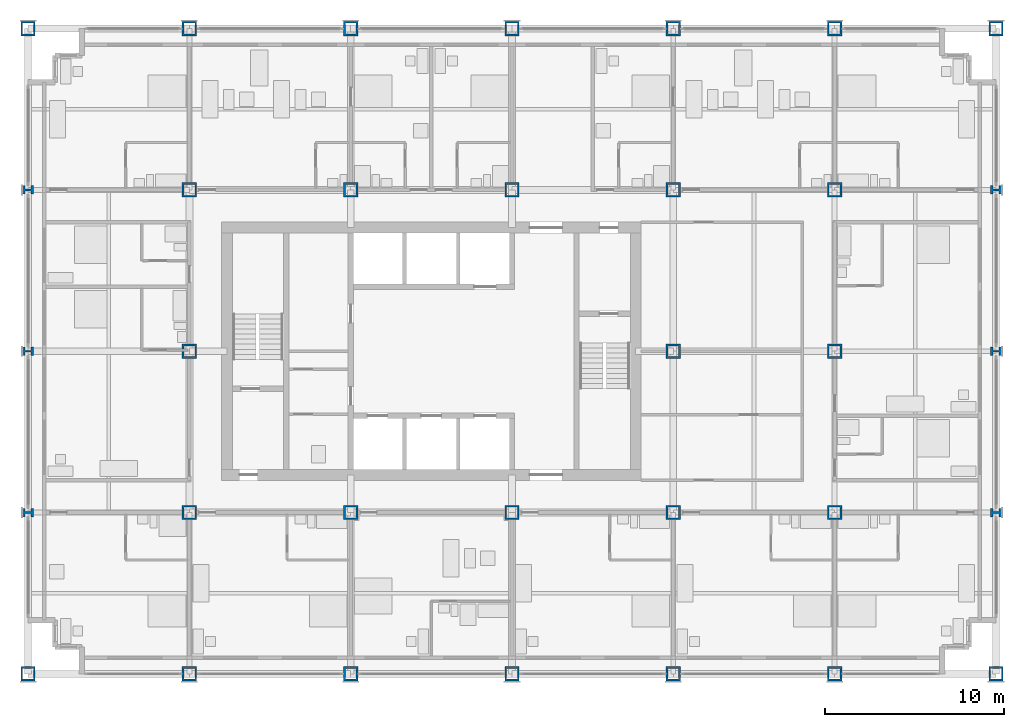
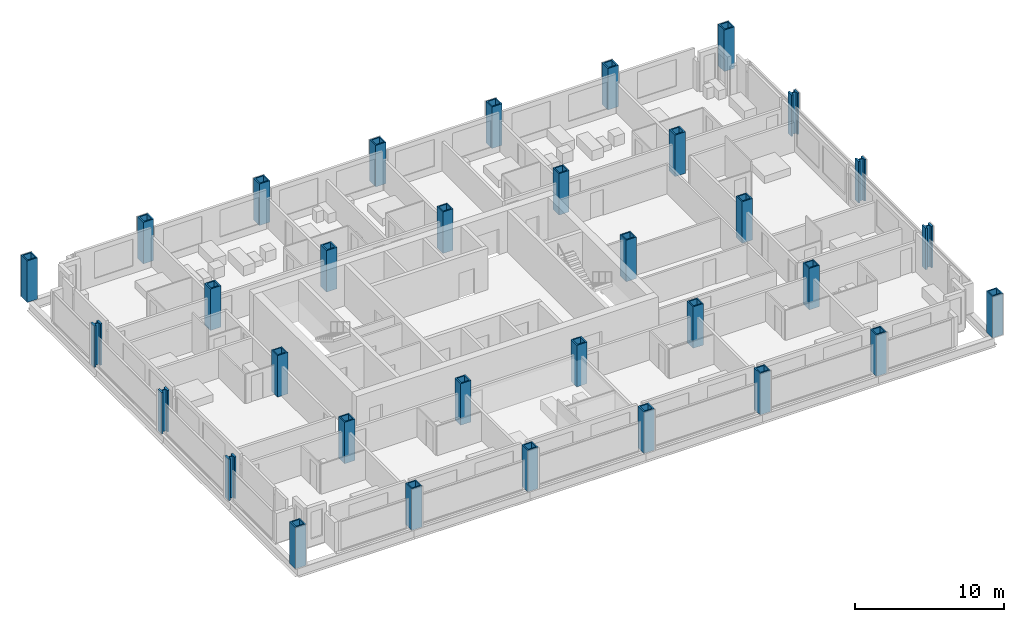
# One storey, part 1 of 18: 33 columns.
"""IFC4 building model written with IfcOpenShell, lengths in metres."""

from ifc_helpers import new_model, si_unit, direction, frame, origin, origin_2d, place, context, subcontext, project, spatial, hollow_rectangle, i_section, extrude, material, material_profile, profile_set, type_object, element, save


model = new_model("IFC4")

# Units and contexts
model_context = context("Model", 3, precision=1e-05, world=origin(), true_north=direction((0.0, 1.0)))
body_context = subcontext(model_context, "Body", "Model", "MODEL_VIEW")
ifc_project = project(units=[si_unit("LENGTHUNIT", "METRE"), si_unit("AREAUNIT", "SQUARE_METRE"), si_unit("VOLUMEUNIT", "CUBIC_METRE"), si_unit("PLANEANGLEUNIT", "RADIAN"), si_unit("MASSUNIT", "GRAM", prefix="KILO")], contexts=[model_context])

# Site, building, storey
site_placement = place(None, origin())
site = spatial("IfcSite", under=ifc_project, at=site_placement, CompositionType="ELEMENT")
building_placement = place(site_placement, origin())
building = spatial("IfcBuilding", under=site, at=building_placement, Name="Loomwork Tower", CompositionType="ELEMENT")
storey_placement = place(building_placement, frame((0.0, 0.0, 41.60009765625)))
storey = spatial("IfcBuildingStorey", under=building, at=storey_placement, Name="L09", CompositionType="ELEMENT", Elevation=41.60009765625)

# Columns
ifc_material_1 = material(Name="Steel ASTM A572 Grade 50 plate", Category="steel")
ifc_material_profile_1 = material_profile(ifc_material_1, hollow_rectangle(XDim=0.800048828125, YDim=0.800048828125, WallThickness=0.10009765625, at=origin_2d()), Name="BOX800x100")
ifc_profile_set_1 = profile_set([ifc_material_profile_1], Name="Steel ASTM A572 Grade 50 plate")
column_type_1 = type_object("IfcColumnType", Name="EXOSKELETON PIER BOX800x100", PredefinedType="COLUMN", material=ifc_profile_set_1)
for number, where, z_axis, x_axis, name in (
    (1, (0.0, 0.0, 0.0), (0.0, 0.0, 1.0), (1.0, 0.0, 0.0), "Exoskeleton Pier D/2 L09"),
    (2, (0.0, 36.0, 0.0), (0.0, 0.0, 1.0), (1.0, 0.0, 0.0), "Exoskeleton Pier H/2 L09"),
    (3, (9.0, 0.0, 0.0), (0.0, 0.0, 1.0), (1.0, 0.0, 0.0), "Exoskeleton Pier D/3 L09"),
    (4, (9.0, 36.0, 0.0), (0.0, 0.0, 1.0), (1.0, 0.0, 0.0), "Exoskeleton Pier H/3 L09"),
    (5, (18.0, 0.0, 0.0), (0.0, 0.0, 1.0), (1.0, 0.0, 0.0), "Exoskeleton Pier D/4 L09"),
    (6, (18.0, 36.0, 0.0), (0.0, 0.0, 1.0), (1.0, 0.0, 0.0), "Exoskeleton Pier H/4 L09"),
    (7, (27.0, 0.0, 0.0), (0.0, 0.0, 1.0), (1.0, 0.0, 0.0), "Exoskeleton Pier D/5 L09"),
    (8, (27.0, 36.0, 0.0), (0.0, 0.0, 1.0), (1.0, 0.0, 0.0), "Exoskeleton Pier H/5 L09"),
    (9, (36.0, 0.0, 0.0), (0.0, 0.0, 1.0), (1.0, 0.0, 0.0), "Exoskeleton Pier D/6 L09"),
    (10, (36.0, 36.0, 0.0), (0.0, 0.0, 1.0), (1.0, 0.0, 0.0), "Exoskeleton Pier H/6 L09"),
    (11, (45.0, 0.0, 0.0), (0.0, 0.0, 1.0), (1.0, 0.0, 0.0), "Exoskeleton Pier D/7 L09"),
    (12, (45.0, 36.0, 0.0), (0.0, 0.0, 1.0), (1.0, 0.0, 0.0), "Exoskeleton Pier H/7 L09"),
    (13, (54.0, 0.0, 0.0), (0.0, 0.0, 1.0), (1.0, 0.0, 0.0), "Exoskeleton Pier D/8 L09"),
    (14, (54.0, 36.0, 0.0), (0.0, 0.0, 1.0), (1.0, 0.0, 0.0), "Exoskeleton Pier H/8 L09"),
):
    element("IfcColumn", number, at=place(storey_placement, frame(where, z_axis=z_axis, x_axis=x_axis)), inside=storey, type_object=column_type_1, Name=name, PredefinedType="COLUMN", context=body_context, shape_type="SweptSolid", body=[
        extrude(hollow_rectangle(XDim=0.800048828125, YDim=0.800048828125, WallThickness=0.10009765625, at=origin_2d()), origin(), (0.0, 0.0, 1.0), 3.39990234375),
    ])
ifc_material_2 = material(Name="Steel ASTM A992", Category="steel")
ifc_material_profile_2 = material_profile(ifc_material_2, i_section(OverallWidth=0.4775390625, OverallDepth=0.599365234375, WebThickness=0.10009765625, FlangeThickness=0.139892578125, at=origin_2d()), Name="W14x873")
ifc_profile_set_2 = profile_set([ifc_material_profile_2], Name="Steel ASTM A992")
column_type_2 = type_object("IfcColumnType", Name="EXOSKELETON PIER W14x873", PredefinedType="COLUMN", material=ifc_profile_set_2)
for number, where, z_axis, x_axis, name in (
    (15, (0.0, 9.0, 0.0), (0.0, 0.0, 1.0), (0.0, 1.0, 0.0), "Exoskeleton Pier E/2 L09"),
    (16, (0.0, 18.0, 0.0), (0.0, 0.0, 1.0), (0.0, 1.0, 0.0), "Exoskeleton Pier F/2 L09"),
    (17, (0.0, 27.0, 0.0), (0.0, 0.0, 1.0), (0.0, 1.0, 0.0), "Exoskeleton Pier G/2 L09"),
    (18, (54.0, 9.0, 0.0), (0.0, 0.0, 1.0), (0.0, 1.0, 0.0), "Exoskeleton Pier E/8 L09"),
    (19, (54.0, 18.0, 0.0), (0.0, 0.0, 1.0), (0.0, 1.0, 0.0), "Exoskeleton Pier F/8 L09"),
    (20, (54.0, 27.0, 0.0), (0.0, 0.0, 1.0), (0.0, 1.0, 0.0), "Exoskeleton Pier G/8 L09"),
):
    element("IfcColumn", number, at=place(storey_placement, frame(where, z_axis=z_axis, x_axis=x_axis)), inside=storey, type_object=column_type_2, Name=name, PredefinedType="COLUMN", context=body_context, shape_type="SweptSolid", body=[
        extrude(i_section(OverallWidth=0.4775390625, OverallDepth=0.599365234375, WebThickness=0.10009765625, FlangeThickness=0.139892578125, at=origin_2d()), origin(), (0.0, 0.0, 1.0), 3.39990234375),
    ])
ifc_material_3 = material(Name="Steel ASTM A572 Grade 50 plate", Category="steel")
ifc_material_profile_3 = material_profile(ifc_material_3, hollow_rectangle(XDim=0.800048828125, YDim=0.800048828125, WallThickness=0.10009765625, at=origin_2d()), Name="BOX800x100")
ifc_profile_set_3 = profile_set([ifc_material_profile_3], Name="Steel ASTM A572 Grade 50 plate")
column_type_3 = type_object("IfcColumnType", Name="TOWER COLUMN BOX800x100", PredefinedType="COLUMN", material=ifc_profile_set_3)
for number, where, z_axis, x_axis, name in (
    (21, (9.0, 9.0, 0.0), (0.0, 0.0, 1.0), (1.0, 0.0, 0.0), "Tower Column E/3 L09"),
    (22, (9.0, 18.0, 0.0), (0.0, 0.0, 1.0), (1.0, 0.0, 0.0), "Tower Column F/3 L09"),
    (23, (9.0, 27.0, 0.0), (0.0, 0.0, 1.0), (1.0, 0.0, 0.0), "Tower Column G/3 L09"),
    (24, (18.0, 9.0, 0.0), (0.0, 0.0, 1.0), (1.0, 0.0, 0.0), "Tower Column E/4 L09"),
    (25, (18.0, 27.0, 0.0), (0.0, 0.0, 1.0), (1.0, 0.0, 0.0), "Tower Column G/4 L09"),
    (26, (27.0, 9.0, 0.0), (0.0, 0.0, 1.0), (1.0, 0.0, 0.0), "Tower Column E/5 L09"),
    (27, (27.0, 27.0, 0.0), (0.0, 0.0, 1.0), (1.0, 0.0, 0.0), "Tower Column G/5 L09"),
    (28, (36.0, 9.0, 0.0), (0.0, 0.0, 1.0), (0.0, 1.0, 0.0), "Tower Column E/6 L09"),
    (29, (36.0, 18.0, 0.0), (0.0, 0.0, 1.0), (0.0, 1.0, 0.0), "Tower Column F/6 L09"),
    (30, (36.0, 27.0, 0.0), (0.0, 0.0, 1.0), (1.0, 0.0, 0.0), "Tower Column G/6 L09"),
    (31, (45.0, 9.0, 0.0), (0.0, 0.0, 1.0), (0.0, 1.0, 0.0), "Tower Column E/7 L09"),
    (32, (45.0, 18.0, 0.0), (0.0, 0.0, 1.0), (0.0, 1.0, 0.0), "Tower Column F/7 L09"),
    (33, (45.0, 27.0, 0.0), (0.0, 0.0, 1.0), (0.0, 1.0, 0.0), "Tower Column G/7 L09"),
):
    element("IfcColumn", number, at=place(storey_placement, frame(where, z_axis=z_axis, x_axis=x_axis)), inside=storey, type_object=column_type_3, Name=name, PredefinedType="COLUMN", context=body_context, shape_type="SweptSolid", body=[
        extrude(hollow_rectangle(XDim=0.800048828125, YDim=0.800048828125, WallThickness=0.10009765625, at=origin_2d()), origin(), (0.0, 0.0, 1.0), 3.39990234375),
    ])

save(model, "model.ifc")
